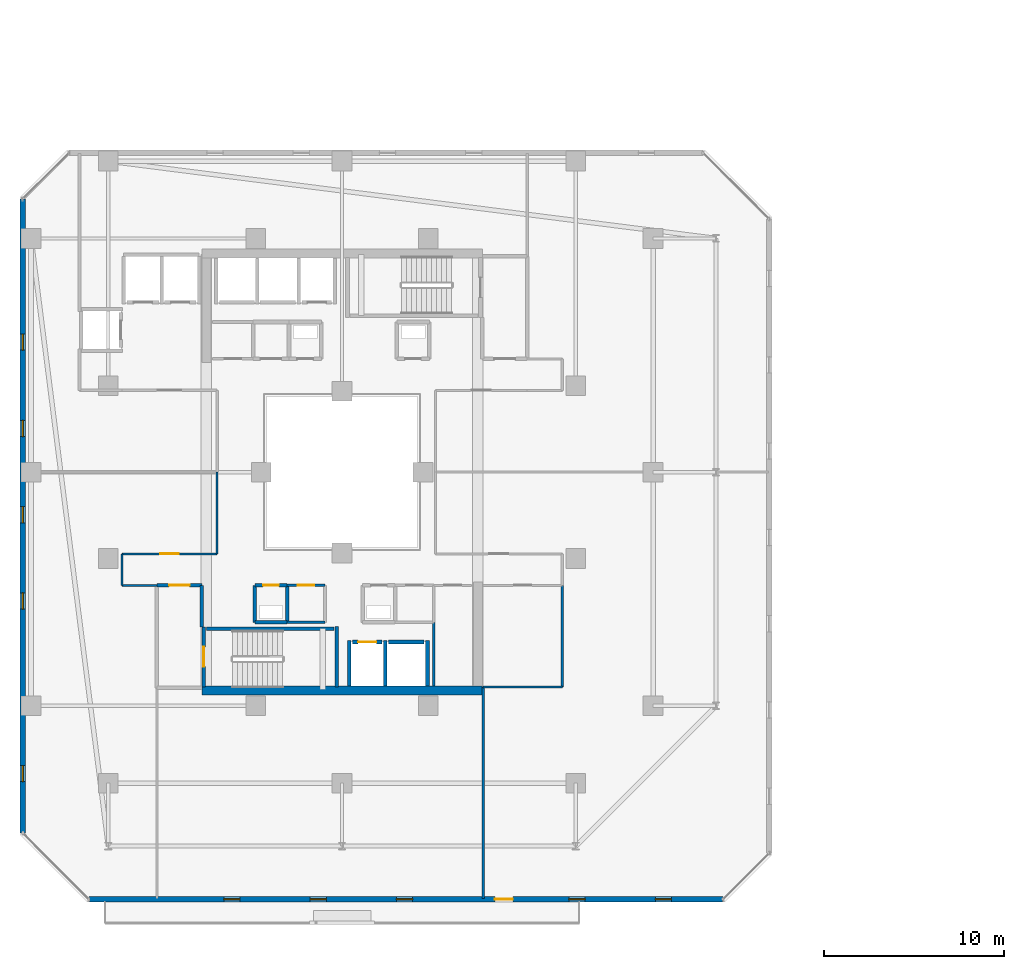
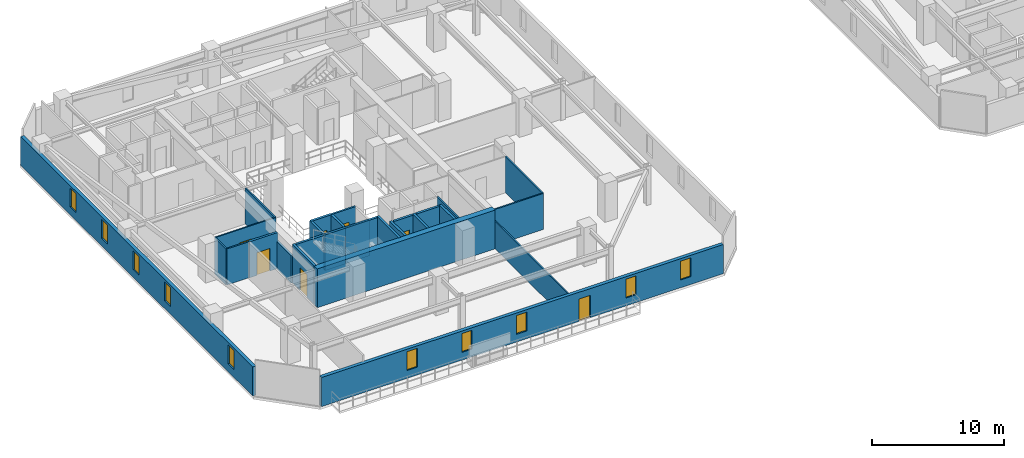
# One storey, part 19 of 32: 27 walls, 10 windows, 7 doors, 17 openings.
"""IFC4 building model written with IfcOpenShell, lengths in metres."""

from ifc_helpers import new_model, si_unit, direction, frame, frame_2d, origin, place, context, subcontext, project, spatial, rectangle, extrude, material, layer, layer_set, type_object, element, fill, save


model = new_model("IFC4")

# Units and contexts
model_context = context("Model", 3, precision=1e-05, world=origin(), true_north=direction((0.0, 1.0)))
body_context = subcontext(model_context, "Body", "Model", "MODEL_VIEW")
ifc_project = project(units=[si_unit("LENGTHUNIT", "METRE"), si_unit("AREAUNIT", "SQUARE_METRE"), si_unit("VOLUMEUNIT", "CUBIC_METRE"), si_unit("PLANEANGLEUNIT", "RADIAN"), si_unit("MASSUNIT", "GRAM", prefix="KILO")], contexts=[model_context])

# Site, building, storey
site_placement = place(None, origin())
site = spatial("IfcSite", under=ifc_project, at=site_placement, CompositionType="ELEMENT")
building_placement = place(site_placement, origin())
building = spatial("IfcBuilding", under=site, at=building_placement, Name="Thornwick Lancets Civic Towers", CompositionType="ELEMENT")
storey_placement = place(building_placement, frame((0.0, 0.0, 156.300048828125)))
storey = spatial("IfcBuildingStorey", under=building, at=storey_placement, Name="L41", CompositionType="ELEMENT", Elevation=156.300048828125)

# Wall, opening, door
ifc_material_1 = material(Name="Concrete blockwork C40/50", Category="masonry")
ifc_layer_1 = layer(ifc_material_1, 0.199951171875, Name="Concrete blockwork C40/50")
ifc_layer_set_1 = layer_set([ifc_layer_1], Name="Concrete blockwork C40/50")
wall_type_1 = type_object("IfcWallType", Name="WALL_COMP_200", PredefinedType="STANDARD", material=ifc_layer_set_1)
wall_1_placement = place(storey_placement, frame((26.080078125, 17.550048828125, 0.0), z_axis=(0.0, 0.0, 1.0), x_axis=(1.0, 0.0, 0.0)))
wall_1 = element("IfcWall", 1, at=wall_1_placement, inside=storey, type_object=wall_type_1, Name="L41 Hoistway Front Wall FL-A1", PredefinedType="STANDARD", context=body_context, shape_type="SweptSolid", body=[
    extrude(rectangle(XDim=1.639892578125, YDim=0.199951171875, at=frame_2d((0.81982421875, 0.0))), origin(), (0.0, 0.0, 1.0), 3.33984375),
])
opening_1_placement = place(wall_1_placement, frame((0.31005859375, 0.0, 0.0)))
opening_1 = element("IfcOpeningElement", 2, at=opening_1_placement, cuts=wall_1, Name="Opening LD-FL-A1", PredefinedType="OPENING", context=body_context, shape_type="SweptSolid", body=[
    extrude(rectangle(XDim=1.02001953125, YDim=2.06005859375, at=frame_2d((0.510009765625, 1.030029296875))), frame((0.0, 0.10986328125, 0.0), z_axis=(0.0, -1.0, 0.0), x_axis=(1.0, 0.0, 0.0)), (0.0, 0.0, 1.0), 0.219970703125),
])
ifc_material_2 = material(Name="Brushed bronze stainless steel", Category="steel")
door_type_1 = type_object("IfcDoorType", Name="DOOR_LIFT_SLIDE", OperationType="SLIDING_TO_LEFT", PredefinedType="DOOR", material=ifc_material_2)
door_1_placement = place(opening_1_placement, origin())
door_1 = element("IfcDoor", 3, at=door_1_placement, inside=storey, type_object=door_type_1, Name="L41 Sliding Lift Landing Door LD-FL-A1", OperationType="SLIDING_TO_LEFT", OverallHeight=2.06005859375, OverallWidth=1.02001953125, PredefinedType="DOOR", context=body_context, shape_type="SweptSolid", body=[
    extrude(rectangle(XDim=1.02001953125, YDim=2.06005859375, at=frame_2d((0.510009765625, 1.030029296875))), frame((0.0, 0.02490234375, 0.0), z_axis=(0.0, -1.0, 0.0), x_axis=(1.0, 0.0, 0.0)), (0.0, 0.0, 1.0), 0.050048828125),
])
fill(opening_1, door_1)

# Walls
wall_2_placement = place(storey_placement, frame((28.080078125, 17.550048828125, 0.0), z_axis=(0.0, 0.0, 1.0), x_axis=(1.0, 0.0, 0.0)))
element("IfcWall", 4, at=wall_2_placement, inside=storey, type_object=wall_type_1, Name="L41 Hoistway Front Wall PL-AH1", PredefinedType="STANDARD", context=body_context, shape_type="SweptSolid", body=[
    extrude(rectangle(XDim=1.989990234375, YDim=0.199951171875, at=frame_2d((0.9951171875, 0.0))), origin(), (0.0, 0.0, 1.0), 3.33984375),
])
for number, where, z_axis, x_axis, name in (
    (5, (27.89990234375, 15.112060546875, 0.0), (0.0, 0.0, 1.0), (0.0, 1.0, 0.0), "L41 Hoistway Shaft Wall FL-A1 E"),
    (6, (25.89990234375, 15.112060546875, 0.0), (0.0, 0.0, 1.0), (0.0, 1.0, 0.0), "L41 Hoistway Shaft Wall FL-A1 W"),
    (7, (30.25, 15.112060546875, 0.0), (0.0, 0.0, 1.0), (0.0, 1.0, 0.0), "L41 Hoistway Shaft Wall PL-AH1 E"),
):
    element("IfcWall", number, at=place(storey_placement, frame(where, z_axis=z_axis, x_axis=x_axis)), inside=storey, type_object=wall_type_1, Name=name, PredefinedType="STANDARD", context=body_context, shape_type="SweptSolid", body=[
        extrude(rectangle(XDim=2.535888671875, YDim=0.199951171875, at=frame_2d((1.26806640625, 0.0))), origin(), (0.0, 0.0, 1.0), 3.33984375),
    ])
wall_3_placement = place(storey_placement, frame((17.699951171875, 18.39990234375, 0.0), z_axis=(0.0, 0.0, 1.0), x_axis=(0.0, 1.0, 0.0)))
element("IfcWall", 8, at=wall_3_placement, inside=storey, type_object=wall_type_1, Name="L41 Partition L41-A-FFLOB1 E2", PredefinedType="STANDARD", context=body_context, shape_type="SweptSolid", body=[
    extrude(rectangle(XDim=2.300048828125, YDim=0.199951171875, at=frame_2d((1.14990234375, 0.0))), origin(), (0.0, 0.0, 1.0), 2.544921875),
])

# Wall, opening, door
wall_4_placement = place(storey_placement, frame((17.699951171875, 20.699951171875, 0.0), z_axis=(0.0, 0.0, 1.0), x_axis=(-1.0, 0.0, 0.0)))
wall_4 = element("IfcWall", 9, at=wall_4_placement, inside=storey, type_object=wall_type_1, Name="L41 Partition L41-A-FFLOB1 E3", PredefinedType="STANDARD", context=body_context, shape_type="SweptSolid", body=[
    extrude(rectangle(XDim=2.5, YDim=0.199951171875, at=frame_2d((1.25, 0.0))), origin(), (0.0, 0.0, 1.0), 3.33984375),
])
opening_2_placement = place(wall_4_placement, frame((0.675048828125, 0.0, 0.0)))
opening_2 = element("IfcOpeningElement", 10, at=opening_2_placement, cuts=wall_4, Name="Opening D-L41-1829", PredefinedType="OPENING", context=body_context, shape_type="SweptSolid", body=[
    extrude(rectangle(XDim=1.14990234375, YDim=2.10009765625, at=frame_2d((0.574951171875, 1.050048828125))), frame((0.0, 0.10986328125, 0.0), z_axis=(0.0, -1.0, 0.0), x_axis=(1.0, 0.0, 0.0)), (0.0, 0.0, 1.0), 0.219970703125),
])
ifc_material_3 = material(Name="Glazed fire-resisting steel", Category="steel")
door_type_2 = type_object("IfcDoorType", Name="DOOR_LOBBY_FD60", OperationType="NOTDEFINED", PredefinedType="DOOR", material=ifc_material_3)
door_2_placement = place(opening_2_placement, origin())
door_2 = element("IfcDoor", 11, at=door_2_placement, inside=storey, type_object=door_type_2, Name="L41 South Firefighting Lobby 1 Door", OperationType="SINGLE_SWING_RIGHT", OverallHeight=2.10009765625, OverallWidth=1.14990234375, PredefinedType="DOOR", context=body_context, shape_type="SweptSolid", body=[
    extrude(rectangle(XDim=1.14990234375, YDim=2.10009765625, at=frame_2d((0.574951171875, 1.050048828125))), frame((0.0, 0.02490234375, 0.0), z_axis=(0.0, -1.0, 0.0), x_axis=(1.0, 0.0, 0.0)), (0.0, 0.0, 1.0), 0.050048828125),
])
fill(opening_2, door_2)

# Walls
wall_5_placement = place(storey_placement, frame((20.64990234375, 18.64990234375, 0.0), z_axis=(0.0, 0.0, 1.0), x_axis=(1.0, 0.0, 0.0)))
element("IfcWall", 12, at=wall_5_placement, inside=storey, type_object=wall_type_1, Name="L41 Partition L41-A-RISER1 E1", PredefinedType="STANDARD", context=body_context, shape_type="SweptSolid", body=[
    extrude(rectangle(XDim=1.800048828125, YDim=0.199951171875, at=frame_2d((0.89990234375, 0.0))), origin(), (0.0, 0.0, 1.0), 3.33984375),
])
wall_6_placement = place(storey_placement, frame((22.449951171875, 18.64990234375, 0.0), z_axis=(0.0, 0.0, 1.0), x_axis=(0.0, 1.0, 0.0)))
element("IfcWall", 13, at=wall_6_placement, inside=storey, type_object=wall_type_1, Name="L41 Partition L41-A-RISER1 E2", PredefinedType="STANDARD", context=body_context, shape_type="SweptSolid", body=[
    extrude(rectangle(XDim=2.050048828125, YDim=0.199951171875, at=frame_2d((1.02490234375, 0.0))), origin(), (0.0, 0.0, 1.0), 3.33984375),
])

# Wall, opening, door
wall_7_placement = place(storey_placement, frame((22.449951171875, 20.699951171875, 0.0), z_axis=(0.0, 0.0, 1.0), x_axis=(-1.0, 0.0, 0.0)))
wall_7 = element("IfcWall", 14, at=wall_7_placement, inside=storey, type_object=wall_type_1, Name="L41 Partition L41-A-RISER1 E3", PredefinedType="STANDARD", context=body_context, shape_type="SweptSolid", body=[
    extrude(rectangle(XDim=1.800048828125, YDim=0.199951171875, at=frame_2d((0.89990234375, 0.0))), origin(), (0.0, 0.0, 1.0), 3.33984375),
])
opening_3_placement = place(wall_7_placement, frame((0.4599609375, 0.0, 0.0)))
opening_3 = element("IfcOpeningElement", 15, at=opening_3_placement, cuts=wall_7, Name="Opening D-L41-1832", PredefinedType="OPENING", context=body_context, shape_type="SweptSolid", body=[
    extrude(rectangle(XDim=0.8798828125, YDim=2.0400390625, at=frame_2d((0.43994140625, 1.02001953125))), frame((0.0, 0.10986328125, 0.0), z_axis=(0.0, -1.0, 0.0), x_axis=(1.0, 0.0, 0.0)), (0.0, 0.0, 1.0), 0.219970703125),
])
ifc_material_4 = material(Name="Steel riser access doorset", Category="steel")
door_type_3 = type_object("IfcDoorType", Name="DOOR_RISER_850", OperationType="NOTDEFINED", PredefinedType="DOOR", material=ifc_material_4)
door_3_placement = place(opening_3_placement, origin())
door_3 = element("IfcDoor", 16, at=door_3_placement, inside=storey, type_object=door_type_3, Name="L41 South Electrical Riser 1 Door", OperationType="SINGLE_SWING_LEFT", OverallHeight=2.0400390625, OverallWidth=0.8798828125, PredefinedType="DOOR", context=body_context, shape_type="SweptSolid", body=[
    extrude(rectangle(XDim=0.8798828125, YDim=2.0400390625, at=frame_2d((0.43994140625, 1.02001953125))), frame((0.0, 0.02490234375, 0.0), z_axis=(0.0, -1.0, 0.0), x_axis=(1.0, 0.0, 0.0)), (0.0, 0.0, 1.0), 0.050048828125),
])
fill(opening_3, door_3)

# Walls
wall_8_placement = place(storey_placement, frame((20.64990234375, 20.699951171875, 0.0), z_axis=(0.0, 0.0, 1.0), x_axis=(0.0, -1.0, 0.0)))
element("IfcWall", 17, at=wall_8_placement, inside=storey, type_object=wall_type_1, Name="L41 Partition L41-A-RISER1 E4", PredefinedType="STANDARD", context=body_context, shape_type="SweptSolid", body=[
    extrude(rectangle(XDim=2.050048828125, YDim=0.199951171875, at=frame_2d((1.02490234375, 0.0))), origin(), (0.0, 0.0, 1.0), 3.33984375),
])
ifc_material_5 = material(Name="Concrete C50/60", Category="concrete")
ifc_layer_2 = layer(ifc_material_5, 0.5, Name="Concrete C50/60")
ifc_layer_set_2 = layer_set([ifc_layer_2], Name="Concrete C50/60")
wall_type_2 = type_object("IfcWallType", Name="WALL_CORE_500", PredefinedType="SHEAR", material=ifc_layer_set_2)
wall_9_placement = place(storey_placement, frame((17.699951171875, 14.85009765625, 0.0), z_axis=(0.0, 0.0, 1.0), x_axis=(1.0, 0.0, 0.0)))
element("IfcWall", 18, at=wall_9_placement, inside=storey, type_object=wall_type_2, Name="L41 Split Core A1 Shear Wall S", PredefinedType="SHEAR", context=body_context, shape_type="SweptSolid", body=[
    extrude(rectangle(XDim=15.60009765625, YDim=0.5, at=frame_2d((7.800048828125, 0.0))), origin(), (0.0, 0.0, 1.0), 3.599853515625),
])

# Wall, openings, door, windows
ifc_material_6 = material(Name="Insulated russet terracotta rainscreen on concrete C40/50", Category="masonry")
ifc_layer_3 = layer(ifc_material_6, 0.300048828125, Name="Insulated russet terracotta rainscreen on concrete C40/50")
ifc_layer_set_3 = layer_set([ifc_layer_3], Name="Insulated russet terracotta rainscreen on concrete C40/50")
wall_type_3 = type_object("IfcWallType", Name="WALL_EXT_RUSSET_300", PredefinedType="STANDARD", material=ifc_layer_set_3)
wall_10_placement = place(storey_placement, frame((11.42236328125, 3.239013671875, 0.0), z_axis=(0.0, 0.0, 1.0), x_axis=(0.999999994606, -0.000103863011, 0.0)))
wall_10 = element("IfcWall", 19, at=wall_10_placement, inside=storey, type_object=wall_type_3, Name="L41 Tower A Terracotta Facade Wall E0", PredefinedType="STANDARD", context=body_context, shape_type="SweptSolid", body=[
    extrude(rectangle(XDim=35.259033203125, YDim=0.300048828125, at=frame_2d((17.62939453125, 0.0))), origin(), (0.0, 0.0, 1.0), 2.699951171875),
])
opening_4_placement = place(wall_10_placement, frame((22.57958984375, 0.0, 0.0)))
opening_4 = element("IfcOpeningElement", 20, at=opening_4_placement, cuts=wall_10, Name="Opening D-BL-L41-AS", PredefinedType="OPENING", context=body_context, shape_type="SweptSolid", body=[
    extrude(rectangle(XDim=1.0, YDim=2.080078125, at=frame_2d((0.5, 1.0400390625))), frame((0.0, 0.16015625, 0.0), z_axis=(0.0, -1.0, 0.0), x_axis=(1.0, 0.0, 0.0)), (0.0, 0.0, 1.0), 0.320068359375),
])
opening_5_placement = place(wall_10_placement, frame((7.5, 0.0, 0.719970703125)))
opening_5 = element("IfcOpeningElement", 21, at=opening_5_placement, cuts=wall_10, Name="Opening WL-01", PredefinedType="OPENING", context=body_context, shape_type="SweptSolid", body=[
    extrude(rectangle(XDim=0.89990234375, YDim=1.75, at=frame_2d((0.449951171875, 0.875))), frame((0.0, 0.16015625, 0.0), z_axis=(0.0, -1.0, 0.0), x_axis=(1.0, 0.0, 0.0)), (0.0, 0.0, 1.0), 0.320068359375),
])
opening_6_placement = place(wall_10_placement, frame((12.300048828125, 0.0, 0.719970703125)))
opening_6 = element("IfcOpeningElement", 22, at=opening_6_placement, cuts=wall_10, Name="Opening WL-01", PredefinedType="OPENING", context=body_context, shape_type="SweptSolid", body=[
    extrude(rectangle(XDim=0.89990234375, YDim=1.75, at=frame_2d((0.449951171875, 0.875))), frame((0.0, 0.16015625, 0.0), z_axis=(0.0, -1.0, 0.0), x_axis=(1.0, 0.0, 0.0)), (0.0, 0.0, 1.0), 0.320068359375),
])
opening_7_placement = place(wall_10_placement, frame((17.10009765625, 0.0, 0.719970703125)))
opening_7 = element("IfcOpeningElement", 23, at=opening_7_placement, cuts=wall_10, Name="Opening WL-01", PredefinedType="OPENING", context=body_context, shape_type="SweptSolid", body=[
    extrude(rectangle(XDim=0.89990234375, YDim=1.75, at=frame_2d((0.449951171875, 0.875))), frame((0.0, 0.16015625, 0.0), z_axis=(0.0, -1.0, 0.0), x_axis=(1.0, 0.0, 0.0)), (0.0, 0.0, 1.0), 0.320068359375),
])
opening_8_placement = place(wall_10_placement, frame((26.699951171875, 0.0, 0.719970703125)))
opening_8 = element("IfcOpeningElement", 24, at=opening_8_placement, cuts=wall_10, Name="Opening WL-01", PredefinedType="OPENING", context=body_context, shape_type="SweptSolid", body=[
    extrude(rectangle(XDim=0.89990234375, YDim=1.75, at=frame_2d((0.449951171875, 0.875))), frame((0.0, 0.16015625, 0.0), z_axis=(0.0, -1.0, 0.0), x_axis=(1.0, 0.0, 0.0)), (0.0, 0.0, 1.0), 0.320068359375),
])
opening_9_placement = place(wall_10_placement, frame((31.5, 0.0, 0.719970703125)))
opening_9 = element("IfcOpeningElement", 25, at=opening_9_placement, cuts=wall_10, Name="Opening WL-01", PredefinedType="OPENING", context=body_context, shape_type="SweptSolid", body=[
    extrude(rectangle(XDim=0.89990234375, YDim=1.75, at=frame_2d((0.449951171875, 0.875))), frame((0.0, 0.16015625, 0.0), z_axis=(0.0, -1.0, 0.0), x_axis=(1.0, 0.0, 0.0)), (0.0, 0.0, 1.0), 0.320068359375),
])
ifc_material_7 = material(Name="Thermally broken glazed loggia doorset")
door_type_4 = type_object("IfcDoorType", Name="DOOR_BALC_1000", OperationType="NOTDEFINED", PredefinedType="DOOR", material=ifc_material_7)
door_4_placement = place(opening_4_placement, origin())
door_4 = element("IfcDoor", 26, at=door_4_placement, inside=storey, type_object=door_type_4, Name="L41 Tower A Loggia Balcony Door S", OperationType="SINGLE_SWING_RIGHT", OverallHeight=2.080078125, OverallWidth=1.0, PredefinedType="DOOR", context=body_context, shape_type="SweptSolid", body=[
    extrude(rectangle(XDim=1.0, YDim=2.080078125, at=frame_2d((0.5, 1.0400390625))), frame((0.0, 0.02490234375, 0.0), z_axis=(0.0, -1.0, 0.0), x_axis=(1.0, 0.0, 0.0)), (0.0, 0.0, 1.0), 0.050048828125),
])
fill(opening_4, door_4)
ifc_material_8 = material(Name="Clear low-e double glazing in bronze frame", Category="glass")
window_type = type_object("IfcWindowType", Name="WIN_LANCET_900", PartitioningType="SINGLE_PANEL", PredefinedType="WINDOW", material=ifc_material_8)
window_1_placement = place(opening_5_placement, origin())
window_1 = element("IfcWindow", 27, at=window_1_placement, inside=storey, type_object=window_type, Name="L41 Tower A Staggered Lancet Window E0-1", OverallHeight=1.75, OverallWidth=0.89990234375, PartitioningType="SINGLE_PANEL", PredefinedType="WINDOW", context=body_context, shape_type="SweptSolid", body=[
    extrude(rectangle(XDim=0.89990234375, YDim=1.75, at=frame_2d((0.449951171875, 0.875))), frame((0.0, 0.030029296875, 0.0), z_axis=(0.0, -1.0, 0.0), x_axis=(1.0, 0.0, 0.0)), (0.0, 0.0, 1.0), 0.06005859375),
])
fill(opening_5, window_1)
window_2_placement = place(opening_6_placement, origin())
window_2 = element("IfcWindow", 28, at=window_2_placement, inside=storey, type_object=window_type, Name="L41 Tower A Staggered Lancet Window E0-2", OverallHeight=1.75, OverallWidth=0.89990234375, PartitioningType="SINGLE_PANEL", PredefinedType="WINDOW", context=body_context, shape_type="SweptSolid", body=[
    extrude(rectangle(XDim=0.89990234375, YDim=1.75, at=frame_2d((0.449951171875, 0.875))), frame((0.0, 0.030029296875, 0.0), z_axis=(0.0, -1.0, 0.0), x_axis=(1.0, 0.0, 0.0)), (0.0, 0.0, 1.0), 0.06005859375),
])
fill(opening_6, window_2)
window_3_placement = place(opening_7_placement, origin())
window_3 = element("IfcWindow", 29, at=window_3_placement, inside=storey, type_object=window_type, Name="L41 Tower A Staggered Lancet Window E0-3", OverallHeight=1.75, OverallWidth=0.89990234375, PartitioningType="SINGLE_PANEL", PredefinedType="WINDOW", context=body_context, shape_type="SweptSolid", body=[
    extrude(rectangle(XDim=0.89990234375, YDim=1.75, at=frame_2d((0.449951171875, 0.875))), frame((0.0, 0.030029296875, 0.0), z_axis=(0.0, -1.0, 0.0), x_axis=(1.0, 0.0, 0.0)), (0.0, 0.0, 1.0), 0.06005859375),
])
fill(opening_7, window_3)
window_4_placement = place(opening_8_placement, origin())
window_4 = element("IfcWindow", 30, at=window_4_placement, inside=storey, type_object=window_type, Name="L41 Tower A Staggered Lancet Window E0-4", OverallHeight=1.75, OverallWidth=0.89990234375, PartitioningType="SINGLE_PANEL", PredefinedType="WINDOW", context=body_context, shape_type="SweptSolid", body=[
    extrude(rectangle(XDim=0.89990234375, YDim=1.75, at=frame_2d((0.449951171875, 0.875))), frame((0.0, 0.030029296875, 0.0), z_axis=(0.0, -1.0, 0.0), x_axis=(1.0, 0.0, 0.0)), (0.0, 0.0, 1.0), 0.06005859375),
])
fill(opening_8, window_4)
window_5_placement = place(opening_9_placement, origin())
window_5 = element("IfcWindow", 31, at=window_5_placement, inside=storey, type_object=window_type, Name="L41 Tower A Staggered Lancet Window E0-5", OverallHeight=1.75, OverallWidth=0.89990234375, PartitioningType="SINGLE_PANEL", PredefinedType="WINDOW", context=body_context, shape_type="SweptSolid", body=[
    extrude(rectangle(XDim=0.89990234375, YDim=1.75, at=frame_2d((0.449951171875, 0.875))), frame((0.0, 0.030029296875, 0.0), z_axis=(0.0, -1.0, 0.0), x_axis=(1.0, 0.0, 0.0)), (0.0, 0.0, 1.0), 0.06005859375),
])
fill(opening_9, window_5)

# Wall, openings, windows
wall_11_placement = place(storey_placement, frame((7.7353515625, 42.181396484375, 0.0), z_axis=(0.0, 0.0, 1.0), x_axis=(0.000103863011, -0.999999994606, 0.0)))
wall_11 = element("IfcWall", 32, at=wall_11_placement, inside=storey, type_object=wall_type_3, Name="L41 Tower A Terracotta Facade Wall E6", PredefinedType="STANDARD", context=body_context, shape_type="SweptSolid", body=[
    extrude(rectangle(XDim=35.259033203125, YDim=0.300048828125, at=frame_2d((17.62939453125, 0.0))), origin(), (0.0, 0.0, 1.0), 2.699951171875),
])
opening_10_placement = place(wall_11_placement, frame((7.5, 0.0, 0.719970703125)))
opening_10 = element("IfcOpeningElement", 33, at=opening_10_placement, cuts=wall_11, Name="Opening WL-01", PredefinedType="OPENING", context=body_context, shape_type="SweptSolid", body=[
    extrude(rectangle(XDim=0.89990234375, YDim=1.75, at=frame_2d((0.449951171875, 0.875))), frame((0.0, 0.16015625, 0.0), z_axis=(0.0, -1.0, 0.0), x_axis=(1.0, 0.0, 0.0)), (0.0, 0.0, 1.0), 0.320068359375),
])
opening_11_placement = place(wall_11_placement, frame((12.300048828125, 0.0, 0.719970703125)))
opening_11 = element("IfcOpeningElement", 34, at=opening_11_placement, cuts=wall_11, Name="Opening WL-01", PredefinedType="OPENING", context=body_context, shape_type="SweptSolid", body=[
    extrude(rectangle(XDim=0.89990234375, YDim=1.75, at=frame_2d((0.449951171875, 0.875))), frame((0.0, 0.16015625, 0.0), z_axis=(0.0, -1.0, 0.0), x_axis=(1.0, 0.0, 0.0)), (0.0, 0.0, 1.0), 0.320068359375),
])
opening_12_placement = place(wall_11_placement, frame((17.10009765625, 0.0, 0.719970703125)))
opening_12 = element("IfcOpeningElement", 35, at=opening_12_placement, cuts=wall_11, Name="Opening WL-01", PredefinedType="OPENING", context=body_context, shape_type="SweptSolid", body=[
    extrude(rectangle(XDim=0.89990234375, YDim=1.75, at=frame_2d((0.449951171875, 0.875))), frame((0.0, 0.16015625, 0.0), z_axis=(0.0, -1.0, 0.0), x_axis=(1.0, 0.0, 0.0)), (0.0, 0.0, 1.0), 0.320068359375),
])
opening_13_placement = place(wall_11_placement, frame((21.89990234375, 0.0, 0.719970703125)))
opening_13 = element("IfcOpeningElement", 36, at=opening_13_placement, cuts=wall_11, Name="Opening WL-01", PredefinedType="OPENING", context=body_context, shape_type="SweptSolid", body=[
    extrude(rectangle(XDim=0.89990234375, YDim=1.75, at=frame_2d((0.449951171875, 0.875))), frame((0.0, 0.16015625, 0.0), z_axis=(0.0, -1.0, 0.0), x_axis=(1.0, 0.0, 0.0)), (0.0, 0.0, 1.0), 0.320068359375),
])
opening_14_placement = place(wall_11_placement, frame((31.5, 0.0, 0.719970703125)))
opening_14 = element("IfcOpeningElement", 37, at=opening_14_placement, cuts=wall_11, Name="Opening WL-01", PredefinedType="OPENING", context=body_context, shape_type="SweptSolid", body=[
    extrude(rectangle(XDim=0.89990234375, YDim=1.75, at=frame_2d((0.449951171875, 0.875))), frame((0.0, 0.16015625, 0.0), z_axis=(0.0, -1.0, 0.0), x_axis=(1.0, 0.0, 0.0)), (0.0, 0.0, 1.0), 0.320068359375),
])
window_6_placement = place(opening_10_placement, origin())
window_6 = element("IfcWindow", 38, at=window_6_placement, inside=storey, type_object=window_type, Name="L41 Tower A Staggered Lancet Window E6-1", OverallHeight=1.75, OverallWidth=0.89990234375, PartitioningType="SINGLE_PANEL", PredefinedType="WINDOW", context=body_context, shape_type="SweptSolid", body=[
    extrude(rectangle(XDim=0.89990234375, YDim=1.75, at=frame_2d((0.449951171875, 0.875))), frame((0.0, 0.030029296875, 0.0), z_axis=(0.0, -1.0, 0.0), x_axis=(1.0, 0.0, 0.0)), (0.0, 0.0, 1.0), 0.06005859375),
])
fill(opening_10, window_6)
window_7_placement = place(opening_11_placement, origin())
window_7 = element("IfcWindow", 39, at=window_7_placement, inside=storey, type_object=window_type, Name="L41 Tower A Staggered Lancet Window E6-2", OverallHeight=1.75, OverallWidth=0.89990234375, PartitioningType="SINGLE_PANEL", PredefinedType="WINDOW", context=body_context, shape_type="SweptSolid", body=[
    extrude(rectangle(XDim=0.89990234375, YDim=1.75, at=frame_2d((0.449951171875, 0.875))), frame((0.0, 0.030029296875, 0.0), z_axis=(0.0, -1.0, 0.0), x_axis=(1.0, 0.0, 0.0)), (0.0, 0.0, 1.0), 0.06005859375),
])
fill(opening_11, window_7)
window_8_placement = place(opening_12_placement, origin())
window_8 = element("IfcWindow", 40, at=window_8_placement, inside=storey, type_object=window_type, Name="L41 Tower A Staggered Lancet Window E6-3", OverallHeight=1.75, OverallWidth=0.89990234375, PartitioningType="SINGLE_PANEL", PredefinedType="WINDOW", context=body_context, shape_type="SweptSolid", body=[
    extrude(rectangle(XDim=0.89990234375, YDim=1.75, at=frame_2d((0.449951171875, 0.875))), frame((0.0, 0.030029296875, 0.0), z_axis=(0.0, -1.0, 0.0), x_axis=(1.0, 0.0, 0.0)), (0.0, 0.0, 1.0), 0.06005859375),
])
fill(opening_12, window_8)
window_9_placement = place(opening_13_placement, origin())
window_9 = element("IfcWindow", 41, at=window_9_placement, inside=storey, type_object=window_type, Name="L41 Tower A Staggered Lancet Window E6-4", OverallHeight=1.75, OverallWidth=0.89990234375, PartitioningType="SINGLE_PANEL", PredefinedType="WINDOW", context=body_context, shape_type="SweptSolid", body=[
    extrude(rectangle(XDim=0.89990234375, YDim=1.75, at=frame_2d((0.449951171875, 0.875))), frame((0.0, 0.030029296875, 0.0), z_axis=(0.0, -1.0, 0.0), x_axis=(1.0, 0.0, 0.0)), (0.0, 0.0, 1.0), 0.06005859375),
])
fill(opening_13, window_9)
window_10_placement = place(opening_14_placement, origin())
window_10 = element("IfcWindow", 42, at=window_10_placement, inside=storey, type_object=window_type, Name="L41 Tower A Staggered Lancet Window E6-5", OverallHeight=1.75, OverallWidth=0.89990234375, PartitioningType="SINGLE_PANEL", PredefinedType="WINDOW", context=body_context, shape_type="SweptSolid", body=[
    extrude(rectangle(XDim=0.89990234375, YDim=1.75, at=frame_2d((0.449951171875, 0.875))), frame((0.0, 0.030029296875, 0.0), z_axis=(0.0, -1.0, 0.0), x_axis=(1.0, 0.0, 0.0)), (0.0, 0.0, 1.0), 0.06005859375),
])
fill(opening_14, window_10)

# Walls
ifc_material_9 = material(Name="Acoustic gypsum board partition")
ifc_layer_4 = layer(ifc_material_9, 0.1201171875, Name="Acoustic gypsum board partition")
ifc_layer_set_4 = layer_set([ifc_layer_4], Name="Acoustic gypsum board partition")
wall_type_4 = type_object("IfcWallType", Name="WALL_PART_120", PredefinedType="PARTITIONING", material=ifc_layer_set_4)
wall_12_placement = place(storey_placement, frame((30.60009765625, 15.10009765625, 0.0), z_axis=(0.0, 0.0, 1.0), x_axis=(0.0, 1.0, 0.0)))
element("IfcWall", 43, at=wall_12_placement, inside=storey, type_object=wall_type_4, Name="L41 Partition L41-A-ITR E3", PredefinedType="PARTITIONING", context=body_context, shape_type="SweptSolid", body=[
    extrude(rectangle(XDim=3.5498046875, YDim=0.1201171875, at=frame_2d((1.77490234375, 0.0))), origin(), (0.0, 0.0, 1.0), 3.33984375),
])
wall_13_placement = place(storey_placement, frame((37.75, 15.050048828125, 0.0), z_axis=(0.0, 0.0, 1.0), x_axis=(-1.0, 0.0, 0.0)))
element("IfcWall", 44, at=wall_13_placement, inside=storey, type_object=wall_type_4, Name="L41 Partition L41-A-RECLAIM-L1 E1", PredefinedType="PARTITIONING", context=body_context, shape_type="SweptSolid", body=[
    extrude(rectangle(XDim=4.39990234375, YDim=0.1201171875, at=frame_2d((2.199951171875, 0.0))), origin(), (0.0, 0.0, 1.0), 3.33984375),
])
wall_14_placement = place(storey_placement, frame((37.75, 20.699951171875, 0.0), z_axis=(0.0, 0.0, 1.0), x_axis=(0.0, -1.0, 0.0)))
element("IfcWall", 45, at=wall_14_placement, inside=storey, type_object=wall_type_4, Name="L41 Partition L41-A-RECLAIM-L1 E4", PredefinedType="PARTITIONING", context=body_context, shape_type="SweptSolid", body=[
    extrude(rectangle(XDim=5.64990234375, YDim=0.1201171875, at=frame_2d((2.824951171875, 0.0))), origin(), (0.0, 0.0, 1.0), 3.33984375),
])
wall_15_placement = place(storey_placement, frame((18.550048828125, 27.0, 0.0), z_axis=(0.0, 0.0, 1.0), x_axis=(0.0, -1.0, 0.0)))
element("IfcWall", 46, at=wall_15_placement, inside=storey, type_object=wall_type_4, Name="L41 Partition L41-A-W1 E1", PredefinedType="PARTITIONING", context=body_context, shape_type="SweptSolid", body=[
    extrude(rectangle(XDim=4.550048828125, YDim=0.1201171875, at=frame_2d((2.27490234375, 0.0))), origin(), (0.0, 0.0, 1.0), 3.33984375),
])

# Wall, opening, door
wall_16_placement = place(storey_placement, frame((18.550048828125, 22.449951171875, 0.0), z_axis=(0.0, 0.0, 1.0), x_axis=(-1.0, 0.0, 0.0)))
wall_16 = element("IfcWall", 47, at=wall_16_placement, inside=storey, type_object=wall_type_4, Name="L41 Partition L41-A-W1 E2", PredefinedType="PARTITIONING", context=body_context, shape_type="SweptSolid", body=[
    extrude(rectangle(XDim=5.300048828125, YDim=0.1201171875, at=frame_2d((2.64990234375, 0.0))), origin(), (0.0, 0.0, 1.0), 3.33984375),
])
opening_15_placement = place(wall_16_placement, frame((2.125, 0.0, 0.0)))
opening_15 = element("IfcOpeningElement", 48, at=opening_15_placement, cuts=wall_16, Name="Opening D-L41-1852", PredefinedType="OPENING", context=body_context, shape_type="SweptSolid", body=[
    extrude(rectangle(XDim=1.050048828125, YDim=2.10009765625, at=frame_2d((0.52490234375, 1.050048828125))), frame((0.0, 0.070068359375, 0.0), z_axis=(0.0, -1.0, 0.0), x_axis=(1.0, 0.0, 0.0)), (0.0, 0.0, 1.0), 0.14013671875),
])
ifc_material_10 = material(Name="Glazed European oak executive doorset")
door_type_5 = type_object("IfcDoorType", Name="DOOR_OFFICE_1050", OperationType="NOTDEFINED", PredefinedType="DOOR", material=ifc_material_10)
door_5_placement = place(opening_15_placement, origin())
door_5 = element("IfcDoor", 49, at=door_5_placement, inside=storey, type_object=door_type_5, Name="L41 Tower A Ministry Directorate Office W1 Door", OperationType="SINGLE_SWING_LEFT", OverallHeight=2.10009765625, OverallWidth=1.050048828125, PredefinedType="DOOR", context=body_context, shape_type="SweptSolid", body=[
    extrude(rectangle(XDim=1.050048828125, YDim=2.10009765625, at=frame_2d((0.52490234375, 1.050048828125))), frame((0.0, 0.02490234375, 0.0), z_axis=(0.0, -1.0, 0.0), x_axis=(1.0, 0.0, 0.0)), (0.0, 0.0, 1.0), 0.050048828125),
])
fill(opening_15, door_5)

# Walls
wall_17_placement = place(storey_placement, frame((13.25, 22.449951171875, 0.0), z_axis=(0.0, 0.0, 1.0), x_axis=(0.0, -1.0, 0.0)))
element("IfcWall", 50, at=wall_17_placement, inside=storey, type_object=wall_type_4, Name="L41 Partition L41-A-W1 E3", PredefinedType="PARTITIONING", context=body_context, shape_type="SweptSolid", body=[
    extrude(rectangle(XDim=1.75, YDim=0.1201171875, at=frame_2d((0.875, 0.0))), origin(), (0.0, 0.0, 1.0), 3.33984375),
])
wall_18_placement = place(storey_placement, frame((13.25, 20.699951171875, 0.0), z_axis=(0.0, 0.0, 1.0), x_axis=(1.0, 0.0, 0.0)))
element("IfcWall", 51, at=wall_18_placement, inside=storey, type_object=wall_type_4, Name="L41 Partition L41-A-W1 E4", PredefinedType="PARTITIONING", context=body_context, shape_type="SweptSolid", body=[
    extrude(rectangle(XDim=1.949951171875, YDim=0.1201171875, at=frame_2d((0.97509765625, 0.0))), origin(), (0.0, 0.0, 1.0), 3.33984375),
])
wall_19_placement = place(storey_placement, frame((33.35009765625, 3.280029296875, 0.0), z_axis=(0.0, 0.0, 1.0), x_axis=(0.0, 1.0, 0.0)))
element("IfcWall", 52, at=wall_19_placement, inside=storey, type_object=wall_type_4, Name="L41 Partition L41-A-E1 E2", PredefinedType="PARTITIONING", context=body_context, shape_type="SweptSolid", body=[
    extrude(rectangle(XDim=11.77001953125, YDim=0.1201171875, at=frame_2d((5.885009765625, 0.0))), origin(), (0.0, 0.0, 1.0), 2.544921875),
])
ifc_material_11 = material(Name="Twin-stud acoustic gypsum board")
ifc_layer_5 = layer(ifc_material_11, 0.14990234375, Name="Twin-stud acoustic gypsum board")
ifc_layer_set_5 = layer_set([ifc_layer_5], Name="Twin-stud acoustic gypsum board")
wall_type_5 = type_object("IfcWallType", Name="WALL_PART_150", PredefinedType="PARTITIONING", material=ifc_layer_set_5)
wall_20_placement = place(storey_placement, frame((24.550048828125, 18.64990234375, 0.0), z_axis=(0.0, 0.0, 1.0), x_axis=(-1.0, 0.0, 0.0)))
element("IfcWall", 53, at=wall_20_placement, inside=storey, type_object=wall_type_5, Name="L41 Partition L41-A-MWC E2", PredefinedType="PARTITIONING", context=body_context, shape_type="SweptSolid", body=[
    extrude(rectangle(XDim=2.10009765625, YDim=0.14990234375, at=frame_2d((1.050048828125, 0.0))), origin(), (0.0, 0.0, 1.0), 3.33984375),
])

# Wall, opening, door
wall_21_placement = place(storey_placement, frame((22.449951171875, 20.699951171875, 0.0), z_axis=(0.0, 0.0, 1.0), x_axis=(1.0, 0.0, 0.0)))
wall_21 = element("IfcWall", 54, at=wall_21_placement, inside=storey, type_object=wall_type_5, Name="L41 Partition L41-A-MWC E4", PredefinedType="PARTITIONING", context=body_context, shape_type="SweptSolid", body=[
    extrude(rectangle(XDim=2.10009765625, YDim=0.14990234375, at=frame_2d((1.050048828125, 0.0))), origin(), (0.0, 0.0, 1.0), 3.33984375),
])
opening_16_placement = place(wall_21_placement, frame((0.590087890625, 0.0, 0.0)))
opening_16 = element("IfcOpeningElement", 55, at=opening_16_placement, cuts=wall_21, Name="Opening D-L41-1835", PredefinedType="OPENING", context=body_context, shape_type="SweptSolid", body=[
    extrude(rectangle(XDim=0.919921875, YDim=2.080078125, at=frame_2d((0.4599609375, 1.0400390625))), frame((0.0, 0.0849609375, 0.0), z_axis=(0.0, -1.0, 0.0), x_axis=(1.0, 0.0, 0.0)), (0.0, 0.0, 1.0), 0.169921875),
])
ifc_material_12 = material(Name="Moisture-resistant oak doorset")
door_type_6 = type_object("IfcDoorType", Name="DOOR_WC_900", OperationType="NOTDEFINED", PredefinedType="DOOR", material=ifc_material_12)
door_6_placement = place(opening_16_placement, origin())
door_6 = element("IfcDoor", 56, at=door_6_placement, inside=storey, type_object=door_type_6, Name="L41 Tower A Male WC Door", OperationType="SINGLE_SWING_RIGHT", OverallHeight=2.080078125, OverallWidth=0.919921875, PredefinedType="DOOR", context=body_context, shape_type="SweptSolid", body=[
    extrude(rectangle(XDim=0.919921875, YDim=2.080078125, at=frame_2d((0.4599609375, 1.0400390625))), frame((0.0, 0.02490234375, 0.0), z_axis=(0.0, -1.0, 0.0), x_axis=(1.0, 0.0, 0.0)), (0.0, 0.0, 1.0), 0.050048828125),
])
fill(opening_16, door_6)

ifc_material_13 = material(Name="Concrete C40/50", Category="concrete")
ifc_layer_6 = layer(ifc_material_13, 0.199951171875, Name="Concrete C40/50")
ifc_layer_set_6 = layer_set([ifc_layer_6], Name="Concrete C40/50")
wall_type_6 = type_object("IfcWallType", Name="WALL_SHAFT_200", PredefinedType="SHEAR", material=ifc_layer_set_6)
wall_22_placement = place(storey_placement, frame((17.800048828125, 15.050048828125, 0.0), z_axis=(0.0, 0.0, 1.0), x_axis=(0.0, 1.0, 0.0)))
wall_22 = element("IfcWall", 57, at=wall_22_placement, inside=storey, type_object=wall_type_6, Name="L41 ST-A1 Fire Stair Core Wall NEAR", PredefinedType="SHEAR", context=body_context, shape_type="SweptSolid", body=[
    extrude(rectangle(XDim=3.349853515625, YDim=0.199951171875, at=frame_2d((1.6748046875, 0.0))), origin(), (0.0, 0.0, 1.0), 3.599853515625),
])
opening_17_placement = place(wall_22_placement, frame((1.125, 0.0, 0.0)))
opening_17 = element("IfcOpeningElement", 58, at=opening_17_placement, cuts=wall_22, Name="Opening D-ST-A1-L41", PredefinedType="OPENING", context=body_context, shape_type="SweptSolid", body=[
    extrude(rectangle(XDim=1.10009765625, YDim=2.10009765625, at=frame_2d((0.550048828125, 1.050048828125))), frame((0.0, 0.10986328125, 0.0), z_axis=(0.0, -1.0, 0.0), x_axis=(1.0, 0.0, 0.0)), (0.0, 0.0, 1.0), 0.219970703125),
])
ifc_material_14 = material(Name="Fire-resisting steel and hardwood", Category="steel")
door_type_7 = type_object("IfcDoorType", Name="DOOR_STAIR_FD60", OperationType="NOTDEFINED", PredefinedType="DOOR", material=ifc_material_14)
door_7_placement = place(opening_17_placement, origin())
door_7 = element("IfcDoor", 59, at=door_7_placement, inside=storey, type_object=door_type_7, Name="L41 ST-A1 Exit Stair Door", OperationType="SINGLE_SWING_RIGHT", OverallHeight=2.10009765625, OverallWidth=1.10009765625, PredefinedType="DOOR", context=body_context, shape_type="SweptSolid", body=[
    extrude(rectangle(XDim=1.10009765625, YDim=2.10009765625, at=frame_2d((0.550048828125, 1.050048828125))), frame((0.0, 0.02490234375, 0.0), z_axis=(0.0, -1.0, 0.0), x_axis=(1.0, 0.0, 0.0)), (0.0, 0.0, 1.0), 0.050048828125),
])
fill(opening_17, door_7)

# Walls
wall_23_placement = place(storey_placement, frame((25.199951171875, 18.39990234375, 0.0), z_axis=(0.0, 0.0, 1.0), x_axis=(0.0, -1.0, 0.0)))
element("IfcWall", 60, at=wall_23_placement, inside=storey, type_object=wall_type_6, Name="L41 ST-A1 Fire Stair Core Wall FAR", PredefinedType="SHEAR", context=body_context, shape_type="SweptSolid", body=[
    extrude(rectangle(XDim=3.349853515625, YDim=0.199951171875, at=frame_2d((1.6748046875, 0.0))), origin(), (0.0, 0.0, 1.0), 3.599853515625),
])
wall_24_placement = place(storey_placement, frame((25.050048828125, 18.297119140625, 0.0), z_axis=(0.0, 0.0, 1.0), x_axis=(-1.0, 0.0, 0.0)))
element("IfcWall", 61, at=wall_24_placement, inside=storey, type_object=wall_type_6, Name="L41 ST-A1 Fire Stair Core Wall RIGHT", PredefinedType="SHEAR", context=body_context, shape_type="SweptSolid", body=[
    extrude(rectangle(XDim=7.10009765625, YDim=0.199951171875, at=frame_2d((3.550048828125, 0.0))), origin(), (0.0, 0.0, 1.0), 3.599853515625),
])

save(model, "model.ifc")
